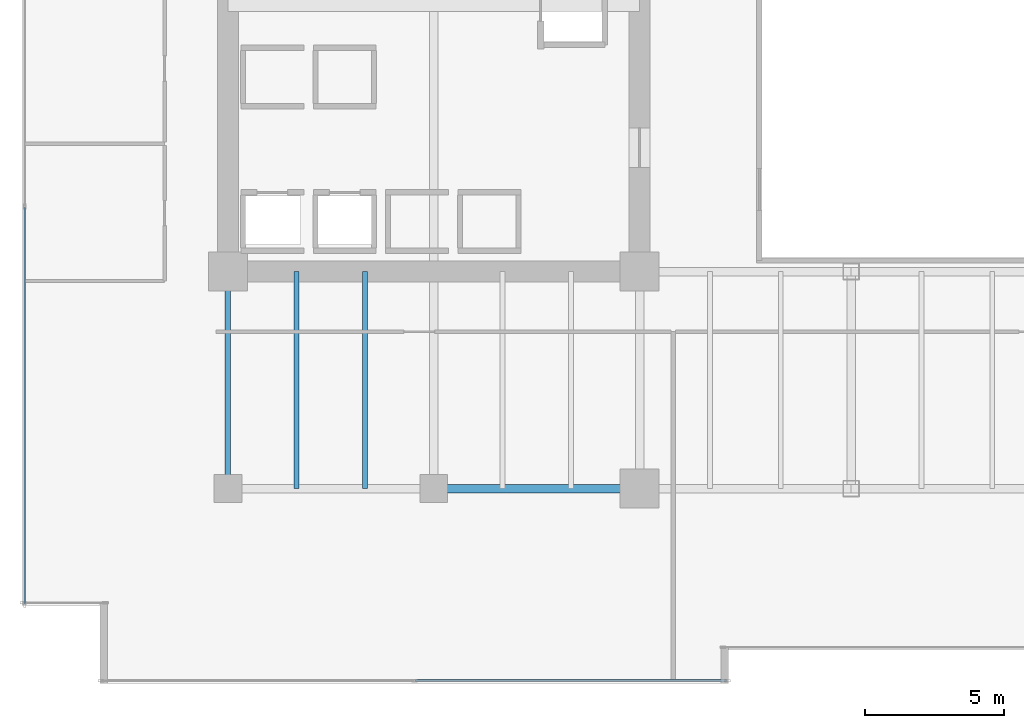
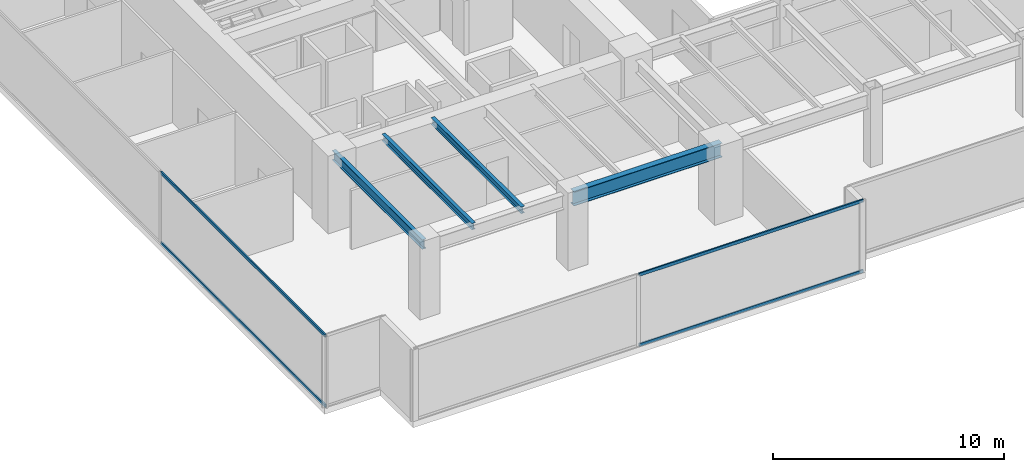
# One storey, part 3 of 35: 4 beams, 4 members, 2 elements without a shape of their own.
"""IFC4 building model written with IfcOpenShell, lengths in metres."""

import ifcopenshell
import ifcopenshell.guid

model = None  # the IFC model being written
_history = None  # IfcOwnerHistory: only IFC2X3 demands one
_inside = {}  # id of a spatial element -> (the spatial element, [elements in it])
_under = {}  # id of a project, library or spatial element -> (it, [spatial elements below it])
_declared = {}  # id of a project -> (the project, [libraries it declares])
_typed = {}  # id of a type object -> (the type object, [elements of that type])
_made_of = {}  # id of a material, layer set ... -> (it, [elements and type objects made of it])


def new_model(schema):
    """Start an empty IFC model of exactly this schema.

    Asked for "IFC4X3", IfcOpenShell would pick the latest addendum, in which some entities
    have other attributes; the version numbers below select the first issue.
    IFC2X3 requires an IfcOwnerHistory on every rooted entity: one is made here for all.
    """
    global model, _history
    if schema == "IFC4X3":
        model = ifcopenshell.file(schema_version=(4, 3, 0, 0))
    else:
        model = ifcopenshell.file(schema=schema)
    _inside.clear()
    _under.clear()
    _declared.clear()
    _typed.clear()
    _made_of.clear()
    _history = None
    if model.schema == "IFC2X3":
        org = make("IfcOrganization", Name="unknown")
        user = make(
            "IfcPersonAndOrganization",
            ThePerson=make("IfcPerson", FamilyName="unknown"),
            TheOrganization=org,
        )
        app = make(
            "IfcApplication",
            ApplicationDeveloper=org,
            Version="unknown",
            ApplicationFullName="unknown",
            ApplicationIdentifier="unknown",
        )
        _history = make(
            "IfcOwnerHistory",
            OwningUser=user,
            OwningApplication=app,
            ChangeAction="ADDED",
            CreationDate=0,
        )
    return model


def make(cls, **values):
    """One entity of the class cls with the attributes given. An attribute that is None is left unset."""
    return model.create_entity(
        cls, **{name: value for name, value in values.items() if value is not None}
    )


def rooted(cls, **values):
    """An entity with a GlobalId (a new one), such as an element, a storey or a relation."""
    return make(cls, GlobalId=ifcopenshell.guid.new(), OwnerHistory=_history, **values)


def si_unit(unit_type, name, prefix=None):
    """IfcSIUnit, for example si_unit("LENGTHUNIT", "METRE", prefix="MILLI")."""
    return make("IfcSIUnit", UnitType=unit_type, Prefix=prefix, Name=name)


def assignment(units):
    """IfcUnitAssignment: the units of a project."""
    return None if units is None else make("IfcUnitAssignment", Units=units)


def point(xyz):
    """IfcCartesianPoint."""
    return None if xyz is None else make("IfcCartesianPoint", Coordinates=xyz)


def direction(xyz):
    """IfcDirection."""
    return None if xyz is None else make("IfcDirection", DirectionRatios=xyz)


def frame(location, z_axis=None, x_axis=None):
    """IfcAxis2Placement3D, a coordinate frame: its origin and axes. An axis left out is left unset."""
    return make(
        "IfcAxis2Placement3D",
        Location=point(location),
        Axis=direction(z_axis),
        RefDirection=direction(x_axis),
    )


def frame_2d(location, x_axis=None):
    """IfcAxis2Placement2D, a coordinate frame in the plane: its origin and x axis."""
    return make(
        "IfcAxis2Placement2D", Location=point(location), RefDirection=direction(x_axis)
    )


def origin():
    """The frame at (0, 0, 0) with its axes left unset."""
    return frame((0.0, 0.0, 0.0))


def origin_2d():
    """The frame at (0, 0) in the plane with its x axis left unset."""
    return frame_2d((0.0, 0.0))


def place(relative_to, where):
    """IfcLocalPlacement: puts the frame where relative to a parent placement (None: the world)."""
    return make(
        "IfcLocalPlacement", PlacementRelTo=relative_to, RelativePlacement=where
    )


def context(
    kind, dimensions, precision=None, world=None, true_north=None, identifier=None
):
    """IfcGeometricRepresentationContext, for example the 3D "Model" context."""
    return make(
        "IfcGeometricRepresentationContext",
        ContextIdentifier=identifier,
        ContextType=kind,
        CoordinateSpaceDimension=dimensions,
        Precision=precision,
        WorldCoordinateSystem=world,
        TrueNorth=true_north,
    )


def subcontext(parent, identifier, kind, view, scale=None):
    """IfcGeometricRepresentationSubContext, for example "Body" below "Model"."""
    return make(
        "IfcGeometricRepresentationSubContext",
        ContextIdentifier=identifier,
        ContextType=kind,
        ParentContext=parent,
        TargetScale=scale,
        TargetView=view,
    )


def project(units=None, contexts=None):
    """IfcProject with its units and contexts."""
    return rooted(
        "IfcProject",
        Name="project",
        RepresentationContexts=contexts,
        UnitsInContext=assignment(units),
    )


def spatial(cls, under=None, at=None, **own):
    """A site, building, storey or space (cls), placed at a placement, below another one or the project."""
    s = rooted(cls, ObjectPlacement=at, **own)
    if under is not None:
        _under.setdefault(under.id(), (under, []))[1].append(s)
    return s


def profile(cls, at=None, kind="AREA", **sizes):
    """A parametric profile (cls). Its sizes go by their IFC names, for example OverallWidth=200.0."""
    return make(cls, ProfileType=kind, Position=at, **sizes)


def hollow_rectangle(**sizes):
    """IfcRectangleHollowProfileDef."""
    return profile("IfcRectangleHollowProfileDef", **sizes)


def i_section(**sizes):
    """IfcIShapeProfileDef."""
    return profile("IfcIShapeProfileDef", **sizes)


def extrude(swept, where, along, depth):
    """IfcExtrudedAreaSolid: the profile swept, set in the frame where, extruded along a direction by depth."""
    return make(
        "IfcExtrudedAreaSolid",
        SweptArea=swept,
        Position=where,
        ExtrudedDirection=direction(along),
        Depth=depth,
    )


def shape(context_of_items, identifier, shape_type, items):
    """IfcShapeRepresentation: the items that make up one representation, for example the "Body"."""
    return make(
        "IfcShapeRepresentation",
        ContextOfItems=context_of_items,
        RepresentationIdentifier=identifier,
        RepresentationType=shape_type,
        Items=items,
    )


def source(mapping_origin, context_of_items, identifier, shape_type, items):
    """IfcRepresentationMap: a shape defined once, which mapped items show again and again."""
    return make(
        "IfcRepresentationMap",
        MappingOrigin=mapping_origin,
        MappedRepresentation=shape(context_of_items, identifier, shape_type, items),
    )


def transform(
    local_origin,
    x_axis=None,
    y_axis=None,
    z_axis=None,
    scale=None,
    scale2=None,
    scale3=None,
    uniform=True,
):
    """IfcCartesianTransformationOperator3D, or its non-uniform kind. x_axis, y_axis, z_axis: its Axis1, 2, 3."""
    if uniform:
        return make(
            "IfcCartesianTransformationOperator3D",
            Axis1=direction(x_axis),
            Axis2=direction(y_axis),
            LocalOrigin=point(local_origin),
            Scale=scale,
            Axis3=direction(z_axis),
        )
    return make(
        "IfcCartesianTransformationOperator3DnonUniform",
        Axis1=direction(x_axis),
        Axis2=direction(y_axis),
        LocalOrigin=point(local_origin),
        Scale=scale,
        Axis3=direction(z_axis),
        Scale2=scale2,
        Scale3=scale3,
    )


def mapped(mapping_source, mapping_target):
    """IfcMappedItem: shows the shape of a source again, moved by a transform."""
    return make(
        "IfcMappedItem", MappingSource=mapping_source, MappingTarget=mapping_target
    )


def material(Name=None, Category=None):
    """IfcMaterial."""
    return make("IfcMaterial", Name=Name, Category=Category)


def layer(
    of_material, thickness, ventilated=None, Name=None, Category=None, Priority=None
):
    """IfcMaterialLayer: one layer of a wall or slab, of a material (None: an air gap)."""
    return make(
        "IfcMaterialLayer",
        Material=of_material,
        LayerThickness=thickness,
        IsVentilated=ventilated,
        Name=Name,
        Category=Category,
        Priority=Priority,
    )


def layer_set(layers, Name=None):
    """IfcMaterialLayerSet."""
    return make("IfcMaterialLayerSet", MaterialLayers=layers, LayerSetName=Name)


def material_profile(
    of_material, cross_section, Name=None, Category=None, Priority=None
):
    """IfcMaterialProfile: a cross section and its material."""
    return make(
        "IfcMaterialProfile",
        Name=Name,
        Material=of_material,
        Profile=cross_section,
        Priority=Priority,
        Category=Category,
    )


def profile_set(profiles, Name=None, composite=None):
    """IfcMaterialProfileSet."""
    return make(
        "IfcMaterialProfileSet",
        Name=Name,
        MaterialProfiles=profiles,
        CompositeProfile=composite,
    )


def made_of(thing, what):
    """Note that an element or type object is made of a material, layer set ...; save() writes the relation."""
    if what is not None:
        _made_of.setdefault(what.id(), (what, []))[1].append(thing)
    return thing


def type_object(cls, material=None, **own):
    """A type object (cls), such as IfcWallType, which elements share."""
    return made_of(rooted(cls, **own), material)


def type_shapes(of_type, sources):
    """Give a type object the sources (RepresentationMaps) that its elements show as mapped items."""
    of_type.RepresentationMaps = sources


def element(
    cls,
    number,
    at=None,
    inside=None,
    cuts=None,
    type_object=None,
    material=None,
    context=None,
    identifier="Body",
    shape_type=None,
    held_by="IfcProductDefinitionShape",
    body=None,
    shapes=None,
    **own,
):
    """One element of the class cls, such as IfcWall. Its Tag is "e" and its number.

    at: its placement. inside: the storey or other place that contains it. cuts: it is an
    opening in that element (IfcRelVoidsElement). A single representation is given by context,
    identifier, shape_type and body (its items); several are given by shapes. held_by: the class
    of the entity that holds the representations. save() writes the other relations.
    """
    e = rooted(cls, Tag="e%d" % number, ObjectPlacement=at, **own)
    if body is not None:
        shapes = [shape(context, identifier, shape_type, body)]
    if shapes is not None:
        e.Representation = make(held_by, Representations=shapes)
    if inside is not None:
        _inside.setdefault(inside.id(), (inside, []))[1].append(e)
    if cuts is not None:
        rooted(
            "IfcRelVoidsElement", RelatingBuildingElement=cuts, RelatedOpeningElement=e
        )
    if type_object is not None:
        _typed.setdefault(type_object.id(), (type_object, []))[1].append(e)
    return made_of(e, material)


def aggregate(whole, parts):
    """IfcRelAggregates: a whole, such as a stair, and the parts it consists of."""
    return rooted("IfcRelAggregates", RelatingObject=whole, RelatedObjects=parts)


def save(model, path):
    """Write the relations noted so far, then the file.

    IfcRelAggregates (storeys below a building ...), IfcRelContainedInSpatialStructure (elements
    in a storey), IfcRelDefinesByType, IfcRelAssociatesMaterial and IfcRelDeclares: one each for
    every whole, place, type object, material and project.
    """
    for whole, parts in _under.values():
        aggregate(whole, parts)
    for where, things in _inside.values():
        rooted(
            "IfcRelContainedInSpatialStructure",
            RelatedElements=things,
            RelatingStructure=where,
        )
    for kind, things in _typed.values():
        rooted("IfcRelDefinesByType", RelatedObjects=things, RelatingType=kind)
    for what, things in _made_of.values():
        rooted("IfcRelAssociatesMaterial", RelatedObjects=things, RelatingMaterial=what)
    for by, libraries in _declared.values():
        rooted("IfcRelDeclares", RelatingContext=by, RelatedDefinitions=libraries)
    model.write(path)


model = new_model("IFC4")

# Units and contexts
model_context = context("Model", 3, precision=1e-05, world=origin(), true_north=direction((0.0, 1.0)))
body_context = subcontext(model_context, "Body", "Model", "MODEL_VIEW")
ifc_project = project(units=[si_unit("LENGTHUNIT", "METRE"), si_unit("AREAUNIT", "SQUARE_METRE"), si_unit("VOLUMEUNIT", "CUBIC_METRE"), si_unit("PLANEANGLEUNIT", "RADIAN"), si_unit("MASSUNIT", "GRAM", prefix="KILO")], contexts=[model_context])

# Site, building, storey
site_placement = place(None, origin())
site = spatial("IfcSite", under=ifc_project, at=site_placement, CompositionType="ELEMENT")
building_placement = place(site_placement, origin())
building = spatial("IfcBuilding", under=site, at=building_placement, Name="Haelvirn Gate Laboratories", CompositionType="ELEMENT")
storey_placement = place(building_placement, frame((0.0, 0.0, 90.800048828125)))
storey = spatial("IfcBuildingStorey", under=building, at=storey_placement, Name="L22", CompositionType="ELEMENT", Elevation=90.800048828125)

# Beams
ifc_material_1 = material(Name="Steel SM355", Category="steel")
ifc_material_profile_1 = material_profile(ifc_material_1, i_section(OverallWidth=0.300048828125, OverallDepth=0.75, WebThickness=0.013916015625, FlangeThickness=0.02392578125, at=origin_2d()), Name="H-750x300x14x24")
ifc_profile_set_1 = profile_set([ifc_material_profile_1], Name="Steel SM355")
beam_type_1 = type_object("IfcBeamType", Name="BM-G-750", PredefinedType="BEAM", material=ifc_profile_set_1)
shared_shape_1 = source(origin(), body_context, "Body", "SweptSolid", [
    extrude(i_section(OverallWidth=0.300048828125, OverallDepth=0.75, WebThickness=0.013916015625, FlangeThickness=0.02392578125, at=origin_2d()), origin(), (0.0, 0.0, 1.0), 7.39990234375),
])
type_shapes(beam_type_1, [shared_shape_1])
beam_1_placement = place(storey_placement, frame((14.800048828125, 7.0, 3.405029296875), z_axis=(1.0, 0.0, 0.0), x_axis=(0.0, 1.0, 0.0)))
element("IfcBeam", 1, at=beam_1_placement, inside=storey, type_object=beam_type_1, Name="L22 Primary Girder Y7.0 (14.8-22.2)", PredefinedType="BEAM", context=body_context, shape_type="MappedRepresentation", body=[
    mapped(shared_shape_1, transform((0.0, 0.0, 0.0), scale=1.0)),
])
ifc_material_profile_2 = material_profile(ifc_material_1, i_section(OverallWidth=0.199951171875, OverallDepth=0.5, WebThickness=0.010009765625, FlangeThickness=0.01611328125, at=origin_2d()), Name="H-500x200x10x16")
ifc_profile_set_2 = profile_set([ifc_material_profile_2], Name="Steel SM355")
beam_type_2 = type_object("IfcBeamType", Name="BM-SP-500", PredefinedType="SPANDREL", material=ifc_profile_set_2)
shared_shape_2 = source(origin(), body_context, "Body", "SweptSolid", [
    extrude(i_section(OverallWidth=0.199951171875, OverallDepth=0.5, WebThickness=0.010009765625, FlangeThickness=0.01611328125, at=origin_2d()), origin(), (0.0, 0.0, 1.0), 7.800048828125),
])
type_shapes(beam_type_2, [shared_shape_2])
beam_2_placement = place(storey_placement, frame((7.39990234375, 7.0, 3.530029296875), z_axis=(0.0, 1.0, 0.0), x_axis=(-1.0, 0.0, 0.0)))
element("IfcBeam", 2, at=beam_2_placement, inside=storey, type_object=beam_type_2, Name="L22 Perimeter Spandrel X7.4 (7.0-14.8)", PredefinedType="SPANDREL", context=body_context, shape_type="MappedRepresentation", body=[
    mapped(shared_shape_2, transform((0.0, 0.0, 0.0), scale=1.0)),
])
ifc_material_profile_3 = material_profile(ifc_material_1, i_section(OverallWidth=0.175048828125, OverallDepth=0.35009765625, WebThickness=0.007080078125, FlangeThickness=0.010986328125, at=origin_2d()), Name="H-350x175x7x11")
ifc_profile_set_3 = profile_set([ifc_material_profile_3], Name="Steel SM355")
beam_type_3 = type_object("IfcBeamType", Name="BM-J-350", PredefinedType="JOIST", material=ifc_profile_set_3)
shared_shape_3 = source(origin(), body_context, "Body", "SweptSolid", [
    extrude(i_section(OverallWidth=0.175048828125, OverallDepth=0.35009765625, WebThickness=0.007080078125, FlangeThickness=0.010986328125, at=origin_2d()), origin(), (0.0, 0.0, 1.0), 7.800048828125),
])
type_shapes(beam_type_3, [shared_shape_3])
for number, where, z_axis, x_axis, name in (
    (3, (9.8701171875, 7.0, 3.60498046875), (0.0, 1.0, 0.0), (-1.0, 0.0, 0.0), "L22 Composite Lab Joist South X9.87"),
    (4, (12.330078125, 7.0, 3.60498046875), (0.0, 1.0, 0.0), (-1.0, 0.0, 0.0), "L22 Composite Lab Joist South X12.33"),
):
    element("IfcBeam", number, at=place(storey_placement, frame(where, z_axis=z_axis, x_axis=x_axis)), inside=storey, type_object=beam_type_3, Name=name, PredefinedType="JOIST", context=body_context, shape_type="MappedRepresentation", body=[
        mapped(shared_shape_3, transform((0.0, 0.0, 0.0), scale=1.0)),
    ])

# Curtain wall, members
ifc_material_2 = material(Name="Anodised bronze unitised aluminium & triple low-E glass", Category="aluminium")
ifc_layer = layer(ifc_material_2, 0.18408203125, Name="CW-SYS-2")
ifc_layer_set = layer_set([ifc_layer], Name="Anodised bronze unitised aluminium & triple low-E glass")
curtain_wall_type = type_object("IfcCurtainWallType", Name="CW-SYS-2", PredefinedType="NOTDEFINED", material=ifc_layer_set)
curtain_wall_1_placement = place(storey_placement, origin())
curtain_wall_1 = element("IfcCurtainWall", 5, at=curtain_wall_1_placement, inside=storey, type_object=curtain_wall_type, Name="L22 Unitised Curtain Wall CW-L22-P0-E00-1", PredefinedType="NOTDEFINED")
ifc_material_3 = material(Name="Extruded aluminium 6063-T6 (anodised bronze)", Category="aluminium")
ifc_material_profile_4 = material_profile(ifc_material_3, hollow_rectangle(XDim=0.070068359375, YDim=0.159912109375, WallThickness=0.0048828125, at=origin_2d()), Name="CWT-160x70x5")
ifc_profile_set_4 = profile_set([ifc_material_profile_4], Name="Extruded aluminium 6063-T6 (anodised bronze)")
member_type = type_object("IfcMemberType", Name="CWT-T160", PredefinedType="USERDEFINED", material=ifc_profile_set_4)
shared_shape_4 = source(origin(), body_context, "Body", "SweptSolid", [
    extrude(hollow_rectangle(XDim=0.070068359375, YDim=0.159912109375, WallThickness=0.0048828125, at=origin_2d()), origin(), (0.0, 0.0, 1.0), 11.1875),
])
member_1_placement = place(storey_placement, frame((14.137451171875, 0.10009765625, 0.034912109375), z_axis=(1.0, 0.0, 0.0), x_axis=(0.0, 1.0, 0.0)))
member_1 = element("IfcMember", 6, at=member_1_placement, type_object=member_type, Name="CW2 transom 2.1", ObjectType="TRANSOM", PredefinedType="USERDEFINED", context=body_context, shape_type="MappedRepresentation", body=[
    mapped(shared_shape_4, transform((0.0, 0.0, 0.0), scale=1.0)),
])
member_2_placement = place(storey_placement, frame((14.137451171875, 0.10009765625, 3.744873046875), z_axis=(1.0, 0.0, 0.0), x_axis=(0.0, 1.0, 0.0)))
member_2 = element("IfcMember", 7, at=member_2_placement, type_object=member_type, Name="CW2 transom 2.2", ObjectType="TRANSOM", PredefinedType="USERDEFINED", context=body_context, shape_type="MappedRepresentation", body=[
    mapped(shared_shape_4, transform((0.0, 0.0, 0.0), scale=1.0)),
])
aggregate(curtain_wall_1, [member_1, member_2])

curtain_wall_2_placement = place(storey_placement, origin())
curtain_wall_2 = element("IfcCurtainWall", 8, at=curtain_wall_2_placement, inside=storey, type_object=curtain_wall_type, Name="L22 Unitised Curtain Wall CW-L22-P0-E17", PredefinedType="NOTDEFINED")
shared_shape_5 = source(origin(), body_context, "Body", "SweptSolid", [
    extrude(hollow_rectangle(XDim=0.070068359375, YDim=0.159912109375, WallThickness=0.0048828125, at=origin_2d()), origin(), (0.0, 0.0, 1.0), 14.220947265625),
])
type_shapes(member_type, [shared_shape_4, shared_shape_5])
member_3_placement = place(storey_placement, frame((0.10009765625, 17.095947265625, 0.034912109375), z_axis=(0.0, -1.0, 0.0), x_axis=(1.0, 0.0, 0.0)))
member_3 = element("IfcMember", 9, at=member_3_placement, type_object=member_type, Name="CW2 transom 3.1", ObjectType="TRANSOM", PredefinedType="USERDEFINED", context=body_context, shape_type="MappedRepresentation", body=[
    mapped(shared_shape_5, transform((0.0, 0.0, 0.0), scale=1.0)),
])
member_4_placement = place(storey_placement, frame((0.10009765625, 17.095947265625, 3.744873046875), z_axis=(0.0, -1.0, 0.0), x_axis=(1.0, 0.0, 0.0)))
member_4 = element("IfcMember", 10, at=member_4_placement, type_object=member_type, Name="CW2 transom 3.2", ObjectType="TRANSOM", PredefinedType="USERDEFINED", context=body_context, shape_type="MappedRepresentation", body=[
    mapped(shared_shape_5, transform((0.0, 0.0, 0.0), scale=1.0)),
])
aggregate(curtain_wall_2, [member_3, member_4])

save(model, "model.ifc")
